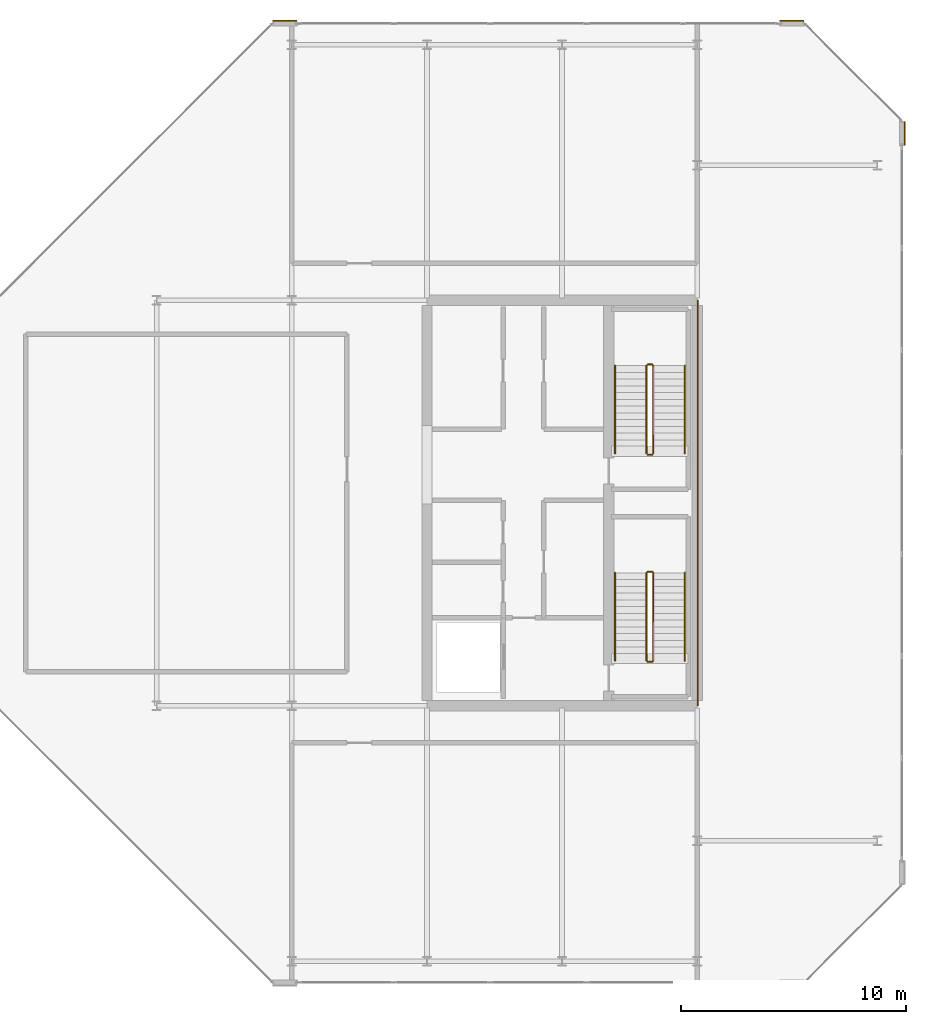
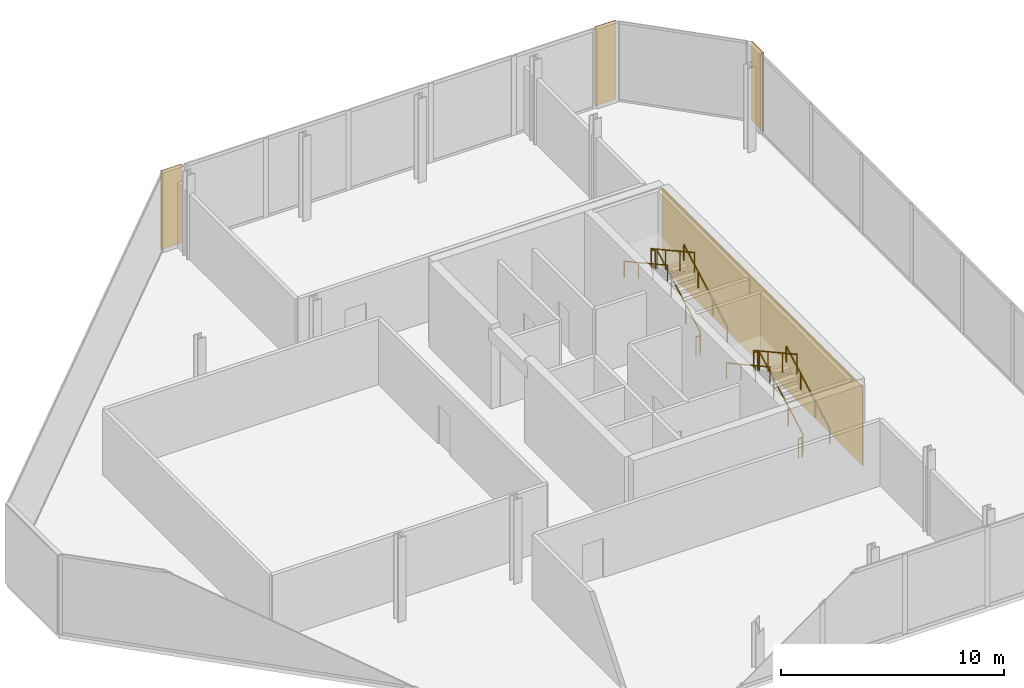
# One storey, part 16 of 16: 12 railings, 4 coverings.
"""IFC4 building model written with IfcOpenShell, lengths in metres."""

from ifc_helpers import new_model, si_unit, direction, frame, origin, origin_2d, place, context, subcontext, project, spatial, rectangle, extrude, material, layer, layer_set, type_object, element, save


model = new_model("IFC4")

# Units and contexts
model_context = context("Model", 3, precision=1e-05, world=origin(), true_north=direction((0.0, 1.0)))
body_context = subcontext(model_context, "Body", "Model", "MODEL_VIEW")
ifc_project = project(units=[si_unit("LENGTHUNIT", "METRE"), si_unit("AREAUNIT", "SQUARE_METRE"), si_unit("VOLUMEUNIT", "CUBIC_METRE"), si_unit("PLANEANGLEUNIT", "RADIAN"), si_unit("MASSUNIT", "GRAM", prefix="KILO")], contexts=[model_context])

# Site, building, storey
site_placement = place(None, origin())
site = spatial("IfcSite", under=ifc_project, at=site_placement, CompositionType="ELEMENT")
building_placement = place(site_placement, origin())
building = spatial("IfcBuilding", under=site, at=building_placement, Name="Tanjung Sevakor Pilgrim Tower", CompositionType="ELEMENT")
storey_placement = place(building_placement, frame((0.0, 0.0, 283.139892578125)))
storey = spatial("IfcBuildingStorey", under=building, at=storey_placement, Name="L79", CompositionType="ELEMENT", Elevation=283.139892578125)

# Coverings
ifc_material_1 = material(Name="Reconstructed Limestone Cladding", Category="masonry")
ifc_layer = layer(ifc_material_1, 0.044921875)
ifc_layer_set = layer_set([ifc_layer], Name="COV-CLAD-LIMESTONE")
covering_type = type_object("IfcCoveringType", Name="COV-CLAD-LIMESTONE", PredefinedType="CLADDING", material=ifc_layer_set)
for number, where, z_axis, x_axis, name in (
    (1, (99.222412109375, 50.00439453125, 0.02001953125), (0.0, 0.0, 1.0), (0.0, 1.0, 0.0), "L79 Warm Limestone Wall Cladding EW-CRN2-L79-EAST-2-1"),
    (2, (94.204345703125, 55.0224609375, 0.02001953125), (0.0, 0.0, 1.0), (-1.0, 0.0, 0.0), "L79 Warm Limestone Wall Cladding EW-CRN1-L79-EAST-4-1"),
    (3, (71.695556640625, 55.0224609375, 0.02001953125), (0.0, 0.0, 1.0), (-1.0, 0.0, 0.0), "L79 Warm Limestone Wall Cladding EW-CRN2-L79-EAST-4-1"),
):
    element("IfcCovering", number, at=place(storey_placement, frame(where, z_axis=z_axis, x_axis=x_axis)), inside=storey, type_object=covering_type, Name=name, PredefinedType="CLADDING", context=body_context, shape_type="SweptSolid", body=[
        extrude(rectangle(XDim=1.06005859375, YDim=0.044921875, at=origin_2d()), origin(), (0.0, 0.0, 1.0), 4.320068359375),
    ])
covering_placement = place(storey_placement, frame((90.0224609375, 33.60009765625, 0.02001953125), z_axis=(0.0, 0.0, 1.0), x_axis=(1.0, 0.0, 0.0)))
element("IfcCovering", 4, at=covering_placement, inside=storey, type_object=covering_type, Name="L79 Expressed Core Warm Limestone Cladding E", PredefinedType="CLADDING", context=body_context, shape_type="SweptSolid", body=[
    extrude(rectangle(XDim=0.044921875, YDim=18.0, at=origin_2d()), origin(), (0.0, 0.0, 1.0), 4.320068359375),
])

# Railings
ifc_material_2 = material(Name="Steel S355J2", Category="steel")
railing_type_1 = type_object("IfcRailingType", Name="RL-STAIR-GUARD", PredefinedType="GUARDRAIL", material=ifc_material_2)
railing_1_placement = place(storey_placement, frame((88.050048828125, 26.60009765625, 0.1650390625)))
element("IfcRailing", 5, at=railing_1_placement, inside=storey, type_object=railing_type_1, Name="L79 TS-E1 stair guard 1", PredefinedType="GUARDRAIL", context=body_context, shape_type="SweptSolid", body=[
    extrude(rectangle(XDim=0.0479, YDim=0.0479), frame((0.0, 0.0, 1.076171875), z_axis=(0.0, 0.876208959939, 0.481931383625), x_axis=(-1.0, 0.0, 0.0)), (0.0, 0.0, 1.0), 4.450927734375),
    extrude(rectangle(XDim=0.042, YDim=0.042), origin(), (0.0, 0.0, 1.0), 1.052001953125),
    extrude(rectangle(XDim=0.042, YDim=0.042), frame((0.0, 1.300048828125, 0.715087890625)), (0.0, 0.0, 1.0), 1.052001953125),
    extrude(rectangle(XDim=0.042, YDim=0.042), frame((0.0, 2.599853515625, 1.429931640625)), (0.0, 0.0, 1.0), 1.052001953125),
    extrude(rectangle(XDim=0.042, YDim=0.042), frame((0.0, 3.89990234375, 2.14501953125)), (0.0, 0.0, 1.0), 1.052001953125),
])
railing_2_placement = place(storey_placement, frame((88.0, 30.550048828125, 2.31005859375)))
element("IfcRailing", 6, at=railing_2_placement, inside=storey, type_object=railing_type_1, Name="L79 TS-E1 stair guard 2", PredefinedType="GUARDRAIL", context=body_context, shape_type="SweptSolid", body=[
    extrude(rectangle(XDim=0.0479, YDim=0.0479), frame((0.0, 0.0, 1.076171875), z_axis=(-1.0, 0.0, 0.0), x_axis=(0.0, -1.0, 0.0)), (0.0, 0.0, 1.0), 0.199951171875),
    extrude(rectangle(XDim=0.042, YDim=0.042), origin(), (0.0, 0.0, 1.0), 1.052001953125),
    extrude(rectangle(XDim=0.042, YDim=0.042), frame((-0.199951171875, 0.0, 0.0)), (0.0, 0.0, 1.0), 1.052001953125),
])
railing_3_placement = place(storey_placement, frame((87.75, 30.5, 2.47509765625)))
element("IfcRailing", 7, at=railing_3_placement, inside=storey, type_object=railing_type_1, Name="L79 TS-E1 stair guard 3", PredefinedType="GUARDRAIL", context=body_context, shape_type="SweptSolid", body=[
    extrude(rectangle(XDim=0.0479, YDim=0.0479), frame((0.0, 0.0, 1.076171875), z_axis=(0.0, -0.876208959939, 0.481931383625), x_axis=(1.0, 0.0, 0.0)), (0.0, 0.0, 1.0), 4.450927734375),
    extrude(rectangle(XDim=0.042, YDim=0.042), origin(), (0.0, 0.0, 1.0), 1.052001953125),
    extrude(rectangle(XDim=0.042, YDim=0.042), frame((0.0, -1.300048828125, 0.715087890625)), (0.0, 0.0, 1.0), 1.052001953125),
    extrude(rectangle(XDim=0.042, YDim=0.042), frame((0.0, -2.599853515625, 1.429931640625)), (0.0, 0.0, 1.0), 1.052001953125),
    extrude(rectangle(XDim=0.042, YDim=0.042), frame((0.0, -3.89990234375, 2.14501953125)), (0.0, 0.0, 1.0), 1.052001953125),
])
railing_4_placement = place(storey_placement, frame((88.0, 26.550048828125, 0.0)))
element("IfcRailing", 8, at=railing_4_placement, inside=storey, type_object=railing_type_1, Name="L79 TS-E1 stair guard 4", PredefinedType="GUARDRAIL", context=body_context, shape_type="SweptSolid", body=[
    extrude(rectangle(XDim=0.0479, YDim=0.0479), frame((0.0, 0.0, 1.076171875), z_axis=(-1.0, 0.0, 0.0), x_axis=(0.0, -1.0, 0.0)), (0.0, 0.0, 1.0), 0.199951171875),
    extrude(rectangle(XDim=0.042, YDim=0.042), origin(), (0.0, 0.0, 1.0), 1.052001953125),
    extrude(rectangle(XDim=0.042, YDim=0.042), frame((-0.199951171875, 0.0, 0.0)), (0.0, 0.0, 1.0), 1.052001953125),
])
railing_5_placement = place(storey_placement, frame((88.050048828125, 35.800048828125, 0.1650390625)))
element("IfcRailing", 9, at=railing_5_placement, inside=storey, type_object=railing_type_1, Name="L79 TS-E2 stair guard 1", PredefinedType="GUARDRAIL", context=body_context, shape_type="SweptSolid", body=[
    extrude(rectangle(XDim=0.0479, YDim=0.0479), frame((0.0, 0.0, 1.076171875), z_axis=(0.0, 0.876208959939, 0.481931383625), x_axis=(-1.0, 0.0, 0.0)), (0.0, 0.0, 1.0), 4.450927734375),
    extrude(rectangle(XDim=0.042, YDim=0.042), origin(), (0.0, 0.0, 1.0), 1.052001953125),
    extrude(rectangle(XDim=0.042, YDim=0.042), frame((0.0, 1.300048828125, 0.715087890625)), (0.0, 0.0, 1.0), 1.052001953125),
    extrude(rectangle(XDim=0.042, YDim=0.042), frame((0.0, 2.599853515625, 1.429931640625)), (0.0, 0.0, 1.0), 1.052001953125),
    extrude(rectangle(XDim=0.042, YDim=0.042), frame((0.0, 3.89990234375, 2.14501953125)), (0.0, 0.0, 1.0), 1.052001953125),
])
railing_6_placement = place(storey_placement, frame((88.0, 39.75, 2.31005859375)))
element("IfcRailing", 10, at=railing_6_placement, inside=storey, type_object=railing_type_1, Name="L79 TS-E2 stair guard 2", PredefinedType="GUARDRAIL", context=body_context, shape_type="SweptSolid", body=[
    extrude(rectangle(XDim=0.0479, YDim=0.0479), frame((0.0, 0.0, 1.076171875), z_axis=(-1.0, 0.0, 0.0), x_axis=(0.0, -1.0, 0.0)), (0.0, 0.0, 1.0), 0.199951171875),
    extrude(rectangle(XDim=0.042, YDim=0.042), origin(), (0.0, 0.0, 1.0), 1.052001953125),
    extrude(rectangle(XDim=0.042, YDim=0.042), frame((-0.199951171875, 0.0, 0.0)), (0.0, 0.0, 1.0), 1.052001953125),
])
railing_7_placement = place(storey_placement, frame((87.75, 39.699951171875, 2.47509765625)))
element("IfcRailing", 11, at=railing_7_placement, inside=storey, type_object=railing_type_1, Name="L79 TS-E2 stair guard 3", PredefinedType="GUARDRAIL", context=body_context, shape_type="SweptSolid", body=[
    extrude(rectangle(XDim=0.0479, YDim=0.0479), frame((0.0, 0.0, 1.076171875), z_axis=(0.0, -0.876208959939, 0.481931383625), x_axis=(1.0, 0.0, 0.0)), (0.0, 0.0, 1.0), 4.450927734375),
    extrude(rectangle(XDim=0.042, YDim=0.042), origin(), (0.0, 0.0, 1.0), 1.052001953125),
    extrude(rectangle(XDim=0.042, YDim=0.042), frame((0.0, -1.300048828125, 0.715087890625)), (0.0, 0.0, 1.0), 1.052001953125),
    extrude(rectangle(XDim=0.042, YDim=0.042), frame((0.0, -2.599853515625, 1.429931640625)), (0.0, 0.0, 1.0), 1.052001953125),
    extrude(rectangle(XDim=0.042, YDim=0.042), frame((0.0, -3.89990234375, 2.14501953125)), (0.0, 0.0, 1.0), 1.052001953125),
])
railing_8_placement = place(storey_placement, frame((88.0, 35.75, 0.0)))
element("IfcRailing", 12, at=railing_8_placement, inside=storey, type_object=railing_type_1, Name="L79 TS-E2 stair guard 4", PredefinedType="GUARDRAIL", context=body_context, shape_type="SweptSolid", body=[
    extrude(rectangle(XDim=0.0479, YDim=0.0479), frame((0.0, 0.0, 1.076171875), z_axis=(-1.0, 0.0, 0.0), x_axis=(0.0, -1.0, 0.0)), (0.0, 0.0, 1.0), 0.199951171875),
    extrude(rectangle(XDim=0.042, YDim=0.042), origin(), (0.0, 0.0, 1.0), 1.052001953125),
    extrude(rectangle(XDim=0.042, YDim=0.042), frame((-0.199951171875, 0.0, 0.0)), (0.0, 0.0, 1.0), 1.052001953125),
])
ifc_material_3 = material(Name="Steel S355J2", Category="steel")
railing_type_2 = type_object("IfcRailingType", Name="RL-STAIR-HAND", PredefinedType="HANDRAIL", material=ifc_material_3)
railing_9_placement = place(storey_placement, frame((89.449951171875, 26.60009765625, 0.1650390625)))
element("IfcRailing", 13, at=railing_9_placement, inside=storey, type_object=railing_type_2, Name="L79 TS-E1 stair handrail 1", PredefinedType="HANDRAIL", context=body_context, shape_type="SweptSolid", body=[
    extrude(rectangle(XDim=0.0479, YDim=0.0479), frame((0.0, 0.0, 0.8759765625), z_axis=(0.0, 0.876208959939, 0.481931383625), x_axis=(-1.0, 0.0, 0.0)), (0.0, 0.0, 1.0), 4.450927734375),
    extrude(rectangle(XDim=0.042, YDim=0.042), origin(), (0.0, 0.0, 1.0), 0.851806640625),
    extrude(rectangle(XDim=0.042, YDim=0.042), frame((0.0, 1.300048828125, 0.715087890625)), (0.0, 0.0, 1.0), 0.851806640625),
    extrude(rectangle(XDim=0.042, YDim=0.042), frame((0.0, 2.599853515625, 1.429931640625)), (0.0, 0.0, 1.0), 0.851806640625),
    extrude(rectangle(XDim=0.042, YDim=0.042), frame((0.0, 3.89990234375, 2.14501953125)), (0.0, 0.0, 1.0), 0.851806640625),
])
railing_10_placement = place(storey_placement, frame((86.35009765625, 30.5, 2.47509765625)))
element("IfcRailing", 14, at=railing_10_placement, inside=storey, type_object=railing_type_2, Name="L79 TS-E1 stair handrail 2", PredefinedType="HANDRAIL", context=body_context, shape_type="SweptSolid", body=[
    extrude(rectangle(XDim=0.0479, YDim=0.0479), frame((0.0, 0.0, 0.8759765625), z_axis=(0.0, -0.876208959939, 0.481931383625), x_axis=(1.0, 0.0, 0.0)), (0.0, 0.0, 1.0), 4.450927734375),
    extrude(rectangle(XDim=0.042, YDim=0.042), origin(), (0.0, 0.0, 1.0), 0.851806640625),
    extrude(rectangle(XDim=0.042, YDim=0.042), frame((0.0, -1.300048828125, 0.715087890625)), (0.0, 0.0, 1.0), 0.851806640625),
    extrude(rectangle(XDim=0.042, YDim=0.042), frame((0.0, -2.599853515625, 1.429931640625)), (0.0, 0.0, 1.0), 0.851806640625),
    extrude(rectangle(XDim=0.042, YDim=0.042), frame((0.0, -3.89990234375, 2.14501953125)), (0.0, 0.0, 1.0), 0.851806640625),
])
railing_11_placement = place(storey_placement, frame((89.449951171875, 35.800048828125, 0.1650390625)))
element("IfcRailing", 15, at=railing_11_placement, inside=storey, type_object=railing_type_2, Name="L79 TS-E2 stair handrail 1", PredefinedType="HANDRAIL", context=body_context, shape_type="SweptSolid", body=[
    extrude(rectangle(XDim=0.0479, YDim=0.0479), frame((0.0, 0.0, 0.8759765625), z_axis=(0.0, 0.876208959939, 0.481931383625), x_axis=(-1.0, 0.0, 0.0)), (0.0, 0.0, 1.0), 4.450927734375),
    extrude(rectangle(XDim=0.042, YDim=0.042), origin(), (0.0, 0.0, 1.0), 0.851806640625),
    extrude(rectangle(XDim=0.042, YDim=0.042), frame((0.0, 1.300048828125, 0.715087890625)), (0.0, 0.0, 1.0), 0.851806640625),
    extrude(rectangle(XDim=0.042, YDim=0.042), frame((0.0, 2.599853515625, 1.429931640625)), (0.0, 0.0, 1.0), 0.851806640625),
    extrude(rectangle(XDim=0.042, YDim=0.042), frame((0.0, 3.89990234375, 2.14501953125)), (0.0, 0.0, 1.0), 0.851806640625),
])
railing_12_placement = place(storey_placement, frame((86.35009765625, 39.699951171875, 2.47509765625)))
element("IfcRailing", 16, at=railing_12_placement, inside=storey, type_object=railing_type_2, Name="L79 TS-E2 stair handrail 2", PredefinedType="HANDRAIL", context=body_context, shape_type="SweptSolid", body=[
    extrude(rectangle(XDim=0.0479, YDim=0.0479), frame((0.0, 0.0, 0.8759765625), z_axis=(0.0, -0.876208959939, 0.481931383625), x_axis=(1.0, 0.0, 0.0)), (0.0, 0.0, 1.0), 4.450927734375),
    extrude(rectangle(XDim=0.042, YDim=0.042), origin(), (0.0, 0.0, 1.0), 0.851806640625),
    extrude(rectangle(XDim=0.042, YDim=0.042), frame((0.0, -1.300048828125, 0.715087890625)), (0.0, 0.0, 1.0), 0.851806640625),
    extrude(rectangle(XDim=0.042, YDim=0.042), frame((0.0, -2.599853515625, 1.429931640625)), (0.0, 0.0, 1.0), 0.851806640625),
    extrude(rectangle(XDim=0.042, YDim=0.042), frame((0.0, -3.89990234375, 2.14501953125)), (0.0, 0.0, 1.0), 0.851806640625),
])

save(model, "model.ifc")
